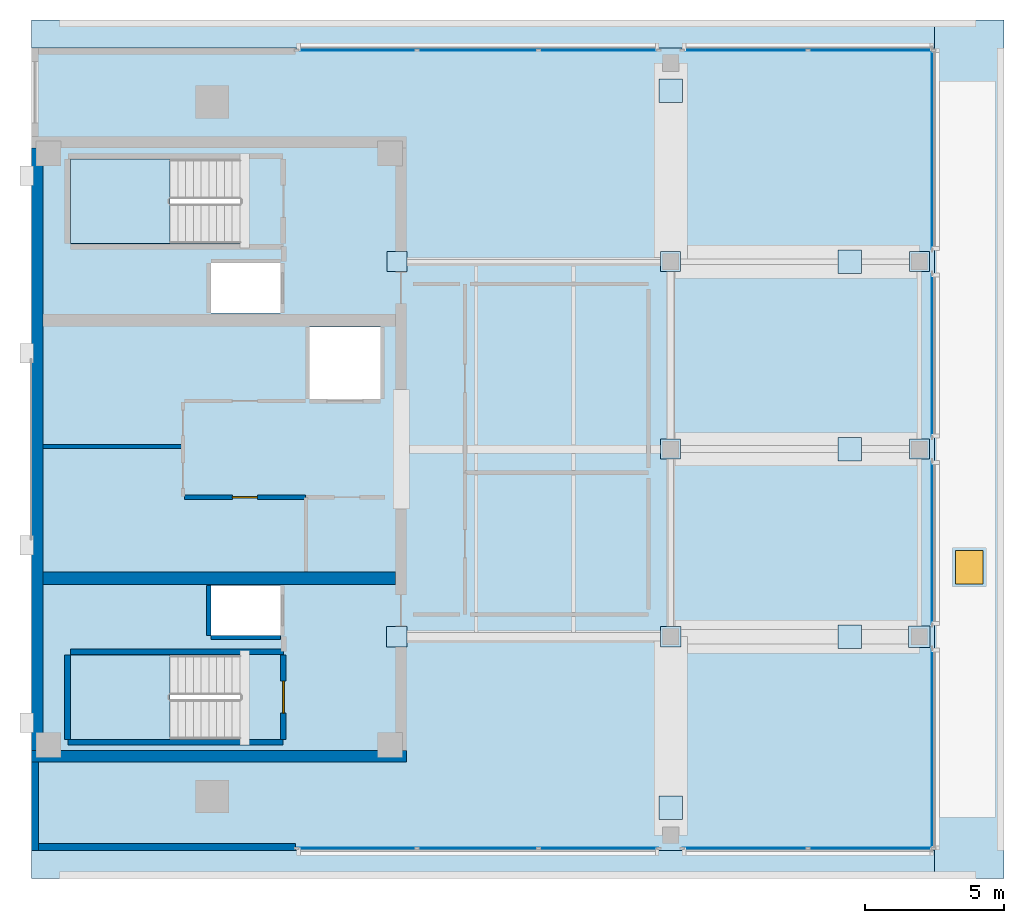
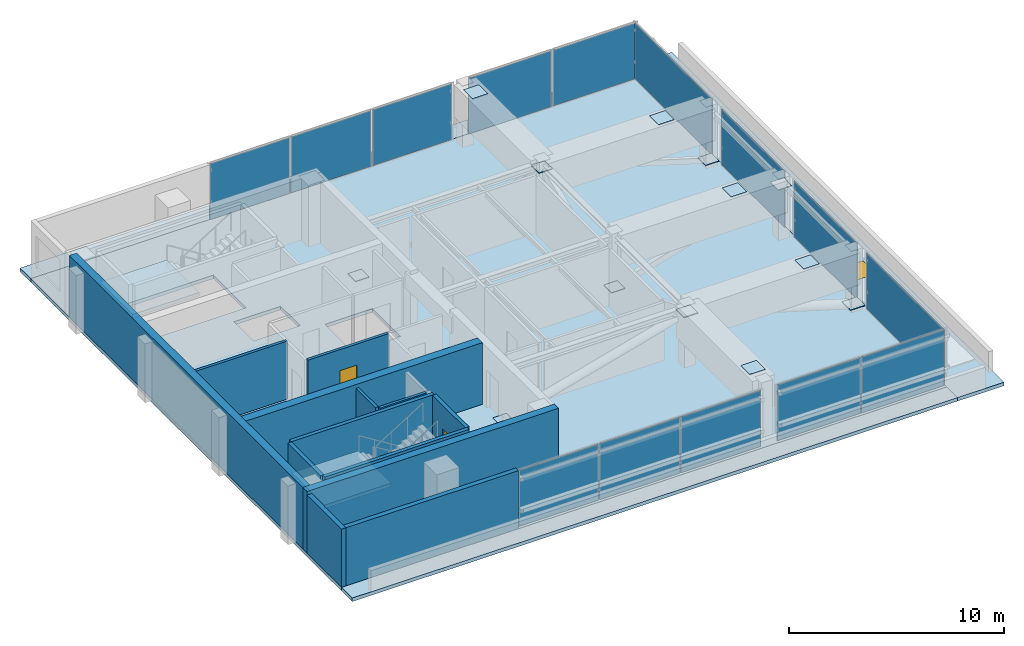
# One storey, part 4 of 10: 27 plates, 13 walls, 6 slabs, 2 doors, 1 window, 3 openings, 10 elements without a shape of their own.
"""IFC4 building model written with IfcOpenShell, lengths in metres."""

from ifc_helpers import new_model, si_unit, direction, frame, frame_2d, origin, origin_2d, place, context, subcontext, project, spatial, polyline, rectangle, outline, extrude, material, layer, layer_set, type_object, element, fill, aggregate, save


model = new_model("IFC4")

# Units and contexts
model_context = context("Model", 3, precision=1e-05, world=origin(), true_north=direction((0.0, 1.0)))
body_context = subcontext(model_context, "Body", "Model", "MODEL_VIEW")
ifc_project = project(units=[si_unit("LENGTHUNIT", "METRE"), si_unit("AREAUNIT", "SQUARE_METRE"), si_unit("VOLUMEUNIT", "CUBIC_METRE"), si_unit("PLANEANGLEUNIT", "RADIAN"), si_unit("MASSUNIT", "GRAM", prefix="KILO")], contexts=[model_context])

# Site, building, storey
site_placement = place(None, origin())
site = spatial("IfcSite", under=ifc_project, at=site_placement, CompositionType="ELEMENT")
building_placement = place(site_placement, origin())
building = spatial("IfcBuilding", under=site, at=building_placement, Name="Kinhvarn Gate Tower", CompositionType="ELEMENT")
storey_placement = place(building_placement, frame((0.0, 0.0, 311.050048828125)))
storey = spatial("IfcBuildingStorey", under=building, at=storey_placement, Name="L82", CompositionType="ELEMENT", Elevation=311.050048828125)

# Curtain wall, plates
ifc_material_1 = material(Name="Anodised aluminium AW-6063", Category="aluminium")
ifc_layer_1 = layer(ifc_material_1, 0.199951171875)
ifc_layer_set_1 = layer_set([ifc_layer_1], Name="Anodised aluminium AW-6063")
curtain_wall_type = type_object("IfcCurtainWallType", Name="CW-SYS-6", PredefinedType="NOTDEFINED", material=ifc_layer_set_1)
curtain_wall_1_placement = place(storey_placement, origin())
curtain_wall_1 = element("IfcCurtainWall", 1, at=curtain_wall_1_placement, inside=storey, type_object=curtain_wall_type, Name="Curtain Wall CW6 (L82)", PredefinedType="NOTDEFINED")
ifc_material_2 = material(Name="Clear low-e double glazing", Category="glass")
ifc_layer_2 = layer(ifc_material_2, 0.031982421875)
ifc_layer_set_2 = layer_set([ifc_layer_2], Name="Clear low-e double glazing")
plate_type_1 = type_object("IfcPlateType", Name="CW-PNL-VIS", PredefinedType="CURTAIN_PANEL", material=ifc_layer_set_2)
plate_1_placement = place(storey_placement, frame((16.202880859375, 10.889892578125, 0.06494140625), z_axis=(0.0, 0.0, 1.0), x_axis=(1.0, 0.0, 0.0)))
plate_1 = element("IfcPlate", 2, at=plate_1_placement, type_object=plate_type_1, Name="CW6 panel 1.1", PredefinedType="CURTAIN_PANEL", context=body_context, shape_type="SweptSolid", body=[
    extrude(rectangle(XDim=4.27587890625, YDim=0.031982421875, at=origin_2d()), origin(), (0.0, 0.0, 1.0), 3.169921875),
])
plate_2_placement = place(storey_placement, frame((20.56005859375, 10.889892578125, 0.06494140625), z_axis=(0.0, 0.0, 1.0), x_axis=(1.0, 0.0, 0.0)))
plate_2 = element("IfcPlate", 3, at=plate_2_placement, type_object=plate_type_1, Name="CW6 panel 2.1", PredefinedType="CURTAIN_PANEL", context=body_context, shape_type="SweptSolid", body=[
    extrude(rectangle(XDim=4.308349609375, YDim=0.031982421875, at=origin_2d()), origin(), (0.0, 0.0, 1.0), 3.169921875),
])
plate_3_placement = place(storey_placement, frame((24.9169921875, 10.889892578125, 0.06494140625), z_axis=(0.0, 0.0, 1.0), x_axis=(1.0, 0.0, 0.0)))
plate_3 = element("IfcPlate", 4, at=plate_3_placement, type_object=plate_type_1, Name="CW6 panel 3.1", PredefinedType="CURTAIN_PANEL", context=body_context, shape_type="SweptSolid", body=[
    extrude(rectangle(XDim=4.27587890625, YDim=0.031982421875, at=origin_2d()), origin(), (0.0, 0.0, 1.0), 3.169921875),
])
aggregate(curtain_wall_1, [plate_1, plate_2, plate_3])

curtain_wall_2_placement = place(storey_placement, origin())
curtain_wall_2 = element("IfcCurtainWall", 5, at=curtain_wall_2_placement, inside=storey, type_object=curtain_wall_type, Name="Curtain Wall CW6 (L82)", PredefinedType="NOTDEFINED")
plate_4_placement = place(storey_placement, frame((30.17626953125, 10.889892578125, 0.06494140625), z_axis=(0.0, 0.0, 1.0), x_axis=(1.0, 0.0, 0.0)))
plate_4 = element("IfcPlate", 6, at=plate_4_placement, type_object=plate_type_1, Name="CW6 panel 1.1", PredefinedType="CURTAIN_PANEL", context=body_context, shape_type="SweptSolid", body=[
    extrude(rectangle(XDim=4.46240234375, YDim=0.031982421875, at=origin_2d()), origin(), (0.0, 0.0, 1.0), 3.169921875),
])
plate_5_placement = place(storey_placement, frame((34.703857421875, 10.889892578125, 0.06494140625), z_axis=(0.0, 0.0, 1.0), x_axis=(1.0, 0.0, 0.0)))
plate_5 = element("IfcPlate", 7, at=plate_5_placement, type_object=plate_type_1, Name="CW6 panel 2.1", PredefinedType="CURTAIN_PANEL", context=body_context, shape_type="SweptSolid", body=[
    extrude(rectangle(XDim=4.46240234375, YDim=0.031982421875, at=origin_2d()), origin(), (0.0, 0.0, 1.0), 3.169921875),
])
aggregate(curtain_wall_2, [plate_4, plate_5])

curtain_wall_3_placement = place(storey_placement, origin())
curtain_wall_3 = element("IfcCurtainWall", 8, at=curtain_wall_3_placement, inside=storey, type_object=curtain_wall_type, Name="Curtain Wall CW6 (L82)", PredefinedType="NOTDEFINED")
plate_6_placement = place(storey_placement, frame((34.703857421875, 39.610107421875, 0.06494140625), z_axis=(0.0, 0.0, 1.0), x_axis=(-1.0, 0.0, 0.0)))
plate_6 = element("IfcPlate", 9, at=plate_6_placement, type_object=plate_type_1, Name="CW6 panel 1.1", PredefinedType="CURTAIN_PANEL", context=body_context, shape_type="SweptSolid", body=[
    extrude(rectangle(XDim=4.46240234375, YDim=0.031982421875, at=origin_2d()), origin(), (0.0, 0.0, 1.0), 3.169921875),
])
plate_7_placement = place(storey_placement, frame((30.17626953125, 39.610107421875, 0.06494140625), z_axis=(0.0, 0.0, 1.0), x_axis=(-1.0, 0.0, 0.0)))
plate_7 = element("IfcPlate", 10, at=plate_7_placement, type_object=plate_type_1, Name="CW6 panel 2.1", PredefinedType="CURTAIN_PANEL", context=body_context, shape_type="SweptSolid", body=[
    extrude(rectangle(XDim=4.46240234375, YDim=0.031982421875, at=origin_2d()), origin(), (0.0, 0.0, 1.0), 3.169921875),
])
aggregate(curtain_wall_3, [plate_6, plate_7])

curtain_wall_4_placement = place(storey_placement, origin())
curtain_wall_4 = element("IfcCurtainWall", 11, at=curtain_wall_4_placement, inside=storey, type_object=curtain_wall_type, Name="Curtain Wall CW6 (L82)", PredefinedType="NOTDEFINED")
plate_8_placement = place(storey_placement, frame((24.9169921875, 39.610107421875, 0.06494140625), z_axis=(0.0, 0.0, 1.0), x_axis=(-1.0, 0.0, 0.0)))
plate_8 = element("IfcPlate", 12, at=plate_8_placement, type_object=plate_type_1, Name="CW6 panel 1.1", PredefinedType="CURTAIN_PANEL", context=body_context, shape_type="SweptSolid", body=[
    extrude(rectangle(XDim=4.27587890625, YDim=0.031982421875, at=origin_2d()), origin(), (0.0, 0.0, 1.0), 3.169921875),
])
plate_9_placement = place(storey_placement, frame((20.56005859375, 39.610107421875, 0.06494140625), z_axis=(0.0, 0.0, 1.0), x_axis=(-1.0, 0.0, 0.0)))
plate_9 = element("IfcPlate", 13, at=plate_9_placement, type_object=plate_type_1, Name="CW6 panel 2.1", PredefinedType="CURTAIN_PANEL", context=body_context, shape_type="SweptSolid", body=[
    extrude(rectangle(XDim=4.308349609375, YDim=0.031982421875, at=origin_2d()), origin(), (0.0, 0.0, 1.0), 3.169921875),
])
plate_10_placement = place(storey_placement, frame((16.202880859375, 39.610107421875, 0.06494140625), z_axis=(0.0, 0.0, 1.0), x_axis=(-1.0, 0.0, 0.0)))
plate_10 = element("IfcPlate", 14, at=plate_10_placement, type_object=plate_type_1, Name="CW6 panel 3.1", PredefinedType="CURTAIN_PANEL", context=body_context, shape_type="SweptSolid", body=[
    extrude(rectangle(XDim=4.27587890625, YDim=0.031982421875, at=origin_2d()), origin(), (0.0, 0.0, 1.0), 3.169921875),
])
aggregate(curtain_wall_4, [plate_8, plate_9, plate_10])

# Curtain wall, plate
curtain_wall_5_placement = place(storey_placement, origin())
curtain_wall_5 = element("IfcCurtainWall", 15, at=curtain_wall_5_placement, inside=storey, type_object=curtain_wall_type, Name="Curtain Wall CW6 (L82)", PredefinedType="NOTDEFINED")
plate_11_placement = place(storey_placement, frame((36.909912109375, 14.4599609375, 0.06494140625), z_axis=(0.0, 0.0, 1.0), x_axis=(0.0, 1.0, 0.0)))
plate_11 = element("IfcPlate", 16, at=plate_11_placement, type_object=plate_type_1, Name="CW6 panel 1.1", PredefinedType="CURTAIN_PANEL", context=body_context, shape_type="SweptSolid", body=[
    extrude(rectangle(XDim=7.18994140625, YDim=0.031982421875, at=origin_2d()), origin(), (0.0, 0.0, 1.0), 3.169921875),
])
aggregate(curtain_wall_5, [plate_11])

curtain_wall_6_placement = place(storey_placement, origin())
curtain_wall_6 = element("IfcCurtainWall", 17, at=curtain_wall_6_placement, inside=storey, type_object=curtain_wall_type, Name="Curtain Wall CW6 (L82)", PredefinedType="NOTDEFINED")
plate_12_placement = place(storey_placement, frame((36.909912109375, 21.875, 0.06494140625), z_axis=(0.0, 0.0, 1.0), x_axis=(0.0, 1.0, 0.0)))
plate_12 = element("IfcPlate", 18, at=plate_12_placement, type_object=plate_type_1, Name="CW6 panel 1.1", PredefinedType="CURTAIN_PANEL", context=body_context, shape_type="SweptSolid", body=[
    extrude(rectangle(XDim=5.860107421875, YDim=0.031982421875, at=origin_2d()), origin(), (0.0, 0.0, 1.0), 3.169921875),
])
aggregate(curtain_wall_6, [plate_12])

curtain_wall_7_placement = place(storey_placement, origin())
curtain_wall_7 = element("IfcCurtainWall", 19, at=curtain_wall_7_placement, inside=storey, type_object=curtain_wall_type, Name="Curtain Wall CW6 (L82)", PredefinedType="NOTDEFINED")
plate_13_placement = place(storey_placement, frame((36.909912109375, 28.625, 0.06494140625), z_axis=(0.0, 0.0, 1.0), x_axis=(0.0, 1.0, 0.0)))
plate_13 = element("IfcPlate", 20, at=plate_13_placement, type_object=plate_type_1, Name="CW6 panel 1.1", PredefinedType="CURTAIN_PANEL", context=body_context, shape_type="SweptSolid", body=[
    extrude(rectangle(XDim=5.860107421875, YDim=0.031982421875, at=origin_2d()), origin(), (0.0, 0.0, 1.0), 3.169921875),
])
aggregate(curtain_wall_7, [plate_13])

curtain_wall_8_placement = place(storey_placement, origin())
curtain_wall_8 = element("IfcCurtainWall", 21, at=curtain_wall_8_placement, inside=storey, type_object=curtain_wall_type, Name="Curtain Wall CW6 (L82)", PredefinedType="NOTDEFINED")
plate_14_placement = place(storey_placement, frame((36.909912109375, 36.0400390625, 0.06494140625), z_axis=(0.0, 0.0, 1.0), x_axis=(0.0, 1.0, 0.0)))
plate_14 = element("IfcPlate", 22, at=plate_14_placement, type_object=plate_type_1, Name="CW6 panel 1.1", PredefinedType="CURTAIN_PANEL", context=body_context, shape_type="SweptSolid", body=[
    extrude(rectangle(XDim=7.18994140625, YDim=0.031982421875, at=origin_2d()), origin(), (0.0, 0.0, 1.0), 3.169921875),
])
aggregate(curtain_wall_8, [plate_14])

# Plates
ifc_material_3 = material(Name="Steel S355", Category="steel")
ifc_layer_3 = layer(ifc_material_3, 0.02392578125)
ifc_layer_set_3 = layer_set([ifc_layer_3], Name="Steel S355")
plate_type_2 = type_object("IfcPlateType", Name="PLT-NODE-CB1", PredefinedType="USERDEFINED", material=ifc_layer_set_3)
plate_15_placement = place(storey_placement, frame((0.0, 0.0, 3.47802734375)))
element("IfcPlate", 23, at=plate_15_placement, inside=storey, type_object=plate_type_2, Name="Structural Node Cap Plate CB1", ObjectType="GUSSET_PLATE", PredefinedType="USERDEFINED", context=body_context, shape_type="SweptSolid", body=[
    extrude(outline(polyline([(33.530029296875, 18.080078125), (34.3701171875, 18.080078125), (34.3701171875, 18.919921875), (33.530029296875, 18.919921875), (33.530029296875, 18.080078125)])), origin(), (0.0, 0.0, 1.0), 0.02392578125),
])
plate_16_placement = place(storey_placement, frame((0.0, 0.0, 3.47802734375)))
element("IfcPlate", 24, at=plate_16_placement, inside=storey, type_object=plate_type_2, Name="Structural Node Cap Plate CB1", ObjectType="GUSSET_PLATE", PredefinedType="USERDEFINED", context=body_context, shape_type="SweptSolid", body=[
    extrude(outline(polyline([(33.530029296875, 24.830078125), (34.3701171875, 24.830078125), (34.3701171875, 25.669921875), (33.530029296875, 25.669921875), (33.530029296875, 24.830078125)])), origin(), (0.0, 0.0, 1.0), 0.02392578125),
])
plate_17_placement = place(storey_placement, frame((0.0, 0.0, 3.47802734375)))
element("IfcPlate", 25, at=plate_17_placement, inside=storey, type_object=plate_type_2, Name="Structural Node Cap Plate CB1", ObjectType="GUSSET_PLATE", PredefinedType="USERDEFINED", context=body_context, shape_type="SweptSolid", body=[
    extrude(outline(polyline([(33.530029296875, 31.580078125), (34.3701171875, 31.580078125), (34.3701171875, 32.419921875), (33.530029296875, 32.419921875), (33.530029296875, 31.580078125)])), origin(), (0.0, 0.0, 1.0), 0.02392578125),
])
plate_18_placement = place(storey_placement, frame((0.0, 0.0, 3.47802734375)))
element("IfcPlate", 26, at=plate_18_placement, inside=storey, type_object=plate_type_2, Name="Structural Node Cap Plate CB1", ObjectType="GUSSET_PLATE", PredefinedType="USERDEFINED", context=body_context, shape_type="SweptSolid", body=[
    extrude(outline(polyline([(27.080078125, 11.929931640625), (27.919921875, 11.929931640625), (27.919921875, 12.77001953125), (27.080078125, 12.77001953125), (27.080078125, 11.929931640625)])), origin(), (0.0, 0.0, 1.0), 0.02392578125),
])
plate_19_placement = place(storey_placement, frame((0.0, 0.0, 3.47802734375)))
element("IfcPlate", 27, at=plate_19_placement, inside=storey, type_object=plate_type_2, Name="Structural Node Cap Plate CB1", ObjectType="GUSSET_PLATE", PredefinedType="USERDEFINED", context=body_context, shape_type="SweptSolid", body=[
    extrude(outline(polyline([(27.080078125, 37.72998046875), (27.919921875, 37.72998046875), (27.919921875, 38.570068359375), (27.080078125, 38.570068359375), (27.080078125, 37.72998046875)])), origin(), (0.0, 0.0, 1.0), 0.02392578125),
])
plate_20_placement = place(storey_placement, frame((0.0, 0.0, 0.238037109375)))
element("IfcPlate", 28, at=plate_20_placement, inside=storey, type_object=plate_type_2, Name="Structural Node Cap Plate CB1", ObjectType="GUSSET_PLATE", PredefinedType="USERDEFINED", context=body_context, shape_type="SweptSolid", body=[
    extrude(outline(polyline([(17.281494140625, 18.131591796875), (18.0185546875, 18.131591796875), (18.0185546875, 18.868408203125), (17.281494140625, 18.868408203125), (17.281494140625, 18.131591796875)])), origin(), (0.0, 0.0, 1.0), 0.02392578125),
])
plate_21_placement = place(storey_placement, frame((0.0, 0.0, 0.238037109375)))
element("IfcPlate", 29, at=plate_21_placement, inside=storey, type_object=plate_type_2, Name="Structural Node Cap Plate CB1", ObjectType="GUSSET_PLATE", PredefinedType="USERDEFINED", context=body_context, shape_type="SweptSolid", body=[
    extrude(outline(polyline([(17.2900390625, 31.639892578125), (18.010009765625, 31.639892578125), (18.010009765625, 32.360107421875), (17.2900390625, 32.360107421875), (17.2900390625, 31.639892578125)])), origin(), (0.0, 0.0, 1.0), 0.02392578125),
])
plate_22_placement = place(storey_placement, frame((0.0, 0.0, 0.238037109375)))
element("IfcPlate", 30, at=plate_22_placement, inside=storey, type_object=plate_type_2, Name="Structural Node Cap Plate CB1", ObjectType="GUSSET_PLATE", PredefinedType="USERDEFINED", context=body_context, shape_type="SweptSolid", body=[
    extrude(outline(polyline([(27.139892578125, 24.889892578125), (27.860107421875, 24.889892578125), (27.860107421875, 25.610107421875), (27.139892578125, 25.610107421875), (27.139892578125, 24.889892578125)])), origin(), (0.0, 0.0, 1.0), 0.02392578125),
])
ifc_layer_4 = layer(ifc_material_3, 0.033935546875)
ifc_layer_set_4 = layer_set([ifc_layer_4], Name="Steel S355")
plate_type_3 = type_object("IfcPlateType", Name="PLT-NODE-KN4", PredefinedType="USERDEFINED", material=ifc_layer_set_4)
plate_23_placement = place(storey_placement, frame((0.0, 0.0, 2.932861328125)))
element("IfcPlate", 31, at=plate_23_placement, inside=storey, type_object=plate_type_3, Name="Structural Node Cap Plate KN4", ObjectType="GUSSET_PLATE", PredefinedType="USERDEFINED", context=body_context, shape_type="SweptSolid", body=[
    extrude(outline(polyline([(27.131591796875, 18.131591796875), (27.868408203125, 18.131591796875), (27.868408203125, 18.868408203125), (27.131591796875, 18.868408203125), (27.131591796875, 18.131591796875)])), origin(), (0.0, 0.0, 1.0), 0.0341796875),
])
plate_24_placement = place(storey_placement, frame((0.0, 0.0, 0.23291015625)))
element("IfcPlate", 32, at=plate_24_placement, inside=storey, type_object=plate_type_3, Name="Structural Node Cap Plate KN4", ObjectType="GUSSET_PLATE", PredefinedType="USERDEFINED", context=body_context, shape_type="SweptSolid", body=[
    extrude(outline(polyline([(36.055908203125, 18.10595703125), (36.843994140625, 18.10595703125), (36.843994140625, 18.89404296875), (36.055908203125, 18.89404296875), (36.055908203125, 18.10595703125)])), origin(), (0.0, 0.0, 1.0), 0.033935546875),
])
plate_25_placement = place(storey_placement, frame((0.0, 0.0, 2.932861328125)))
element("IfcPlate", 33, at=plate_25_placement, inside=storey, type_object=plate_type_3, Name="Structural Node Cap Plate KN4", ObjectType="GUSSET_PLATE", PredefinedType="USERDEFINED", context=body_context, shape_type="SweptSolid", body=[
    extrude(outline(polyline([(27.139892578125, 31.639892578125), (27.860107421875, 31.639892578125), (27.860107421875, 32.360107421875), (27.139892578125, 32.360107421875), (27.139892578125, 31.639892578125)])), origin(), (0.0, 0.0, 1.0), 0.0341796875),
])
plate_26_placement = place(storey_placement, frame((0.0, 0.0, 0.23291015625)))
element("IfcPlate", 34, at=plate_26_placement, inside=storey, type_object=plate_type_3, Name="Structural Node Cap Plate KN4", ObjectType="GUSSET_PLATE", PredefinedType="USERDEFINED", context=body_context, shape_type="SweptSolid", body=[
    extrude(outline(polyline([(36.090087890625, 31.639892578125), (36.81005859375, 31.639892578125), (36.81005859375, 32.360107421875), (36.090087890625, 32.360107421875), (36.090087890625, 31.639892578125)])), origin(), (0.0, 0.0, 1.0), 0.033935546875),
])
plate_27_placement = place(storey_placement, frame((0.0, 0.0, 2.932861328125)))
element("IfcPlate", 35, at=plate_27_placement, inside=storey, type_object=plate_type_3, Name="Structural Node Cap Plate KN4", ObjectType="GUSSET_PLATE", PredefinedType="USERDEFINED", context=body_context, shape_type="SweptSolid", body=[
    extrude(outline(polyline([(36.090087890625, 24.889892578125), (36.81005859375, 24.889892578125), (36.81005859375, 25.610107421875), (36.090087890625, 25.610107421875), (36.090087890625, 24.889892578125)])), origin(), (0.0, 0.0, 1.0), 0.0341796875),
])

# Slab
ifc_material_4 = material(Name="Concrete C40/50", Category="concrete")
ifc_layer_5 = layer(ifc_material_4, 0.199951171875)
ifc_layer_set_5 = layer_set([ifc_layer_5], Name="Concrete C40/50")
slab_type_1 = type_object("IfcSlabType", Name="SLB-FLR-200", PredefinedType="FLOOR", material=ifc_layer_set_5)
slab_1_placement = place(storey_placement, frame((0.0, 0.0, -0.199951171875)))
element("IfcSlab", 36, at=slab_1_placement, inside=storey, type_object=slab_type_1, Name="Suspended Floor Slab L82", PredefinedType="FLOOR", context=body_context, shape_type="SweptSolid", body=[
    extrude(outline(polyline([(4.5, 10.800048828125), (37.0, 10.800048828125), (37.0, 39.699951171875), (4.5, 39.699951171875), (4.5, 10.800048828125)]), holes=[polyline([(5.89990234375, 14.800048828125), (12.0, 14.800048828125), (12.0, 17.85009765625), (5.89990234375, 17.85009765625), (5.89990234375, 14.800048828125)]), polyline([(5.89990234375, 32.64990234375), (12.0, 32.64990234375), (12.0, 35.699951171875), (5.89990234375, 35.699951171875), (5.89990234375, 32.64990234375)]), polyline([(14.5, 27.050048828125), (17.050048828125, 27.050048828125), (17.050048828125, 29.64990234375), (14.5, 29.64990234375), (14.5, 27.050048828125)]), polyline([(10.949951171875, 18.550048828125), (13.449951171875, 18.550048828125), (13.449951171875, 20.35009765625), (10.949951171875, 20.35009765625), (10.949951171875, 18.550048828125)]), polyline([(10.949951171875, 30.14990234375), (13.449951171875, 30.14990234375), (13.449951171875, 31.949951171875), (10.949951171875, 31.949951171875), (10.949951171875, 30.14990234375)])]), origin(), (0.0, 0.0, 1.0), 0.199951171875),
])

# Slab, opening, window
ifc_material_5 = material(Name="Concrete C50/60", Category="concrete")
ifc_layer_6 = layer(ifc_material_5, 0.199951171875)
ifc_layer_set_6 = layer_set([ifc_layer_6], Name="Concrete C50/60")
slab_type_2 = type_object("IfcSlabType", Name="SLB-ROOF-200", PredefinedType="ROOF", material=ifc_layer_set_6)
slab_2_placement = place(storey_placement, frame((0.0, 0.0, -0.199951171875)))
slab_2 = element("IfcSlab", 37, at=slab_2_placement, inside=storey, type_object=slab_type_2, Name="Stepped Crown Ledge Roof Slab L82-E", PredefinedType="ROOF", context=body_context, shape_type="SweptSolid", body=[
    extrude(outline(polyline([(37.0, 9.800048828125), (37.0, 40.699951171875), (39.5, 40.699951171875), (39.5, 9.800048828125), (37.0, 9.800048828125)])), origin(), (0.0, 0.0, 1.0), 0.199951171875),
])
opening_1_placement = place(slab_2_placement, frame((38.25, 21.0, -0.010009765625)))
opening_1 = element("IfcOpeningElement", 38, at=opening_1_placement, cuts=slab_2, Name="Opening RH-01", PredefinedType="OPENING", context=body_context, shape_type="SweptSolid", body=[
    extrude(rectangle(XDim=1.0, YDim=1.199951171875, at=origin_2d()), origin(), (0.0, 0.0, 1.0), 0.219970703125),
])
window_type = type_object("IfcWindowType", Name="WIN-SKL-1200", PartitioningType="SINGLE_PANEL", PredefinedType="SKYLIGHT", material=ifc_material_2)
window_placement = place(slab_2_placement, frame((38.25, 21.0, 0.14990234375)))
window = element("IfcWindow", 39, at=window_placement, inside=storey, type_object=window_type, Name="Crown Ledge Maintenance Skylight Hatch RH-01 (L82)", OverallHeight=1.199951171875, OverallWidth=1.0, PartitioningType="SINGLE_PANEL", PredefinedType="SKYLIGHT", context=body_context, shape_type="SweptSolid", body=[
    extrude(rectangle(XDim=1.0, YDim=1.199951171875, at=origin_2d()), origin(), (0.0, 0.0, 1.0), 0.050048828125),
])
fill(opening_1, window)

# Slabs
slab_3_placement = place(storey_placement, frame((0.0, 0.0, -0.199951171875)))
element("IfcSlab", 40, at=slab_3_placement, inside=storey, type_object=slab_type_2, Name="Stepped Crown Ledge Roof Slab L82-S", PredefinedType="ROOF", context=body_context, shape_type="SweptSolid", body=[
    extrude(outline(polyline([(4.5, 9.800048828125), (4.5, 10.800048828125), (37.0, 10.800048828125), (37.0, 9.800048828125), (4.5, 9.800048828125)])), origin(), (0.0, 0.0, 1.0), 0.199951171875),
])
slab_4_placement = place(storey_placement, frame((0.0, 0.0, -0.199951171875)))
element("IfcSlab", 41, at=slab_4_placement, inside=storey, type_object=slab_type_2, Name="Stepped Crown Ledge Roof Slab L82-N", PredefinedType="ROOF", context=body_context, shape_type="SweptSolid", body=[
    extrude(outline(polyline([(37.0, 40.699951171875), (37.0, 39.699951171875), (4.5, 39.699951171875), (4.5, 40.699951171875), (37.0, 40.699951171875)])), origin(), (0.0, 0.0, 1.0), 0.199951171875),
])

# Stair, slab
stair_type = type_object("IfcStairType", Name="STR-DLG-175", PredefinedType="HALF_TURN_STAIR", material=ifc_material_4)
stair_1_placement = place(storey_placement, origin())
stair_1 = element("IfcStair", 42, at=stair_1_placement, inside=storey, type_object=stair_type, Name="L82 Core Smokeproof Exit Stair ST1", PredefinedType="HALF_TURN_STAIR")
ifc_layer_7 = layer(ifc_material_4, 0.199951171875)
ifc_layer_set_7 = layer_set([ifc_layer_7], Name="Concrete C40/50")
slab_type_3 = type_object("IfcSlabType", Name="SLB-ST-LND", PredefinedType="LANDING", material=ifc_layer_set_7)
slab_5_placement = place(storey_placement, frame((0.0, 0.0, 1.550048828125)))
slab_5 = element("IfcSlab", 43, at=slab_5_placement, type_object=slab_type_3, Name="ST1 landing 1", PredefinedType="LANDING", context=body_context, shape_type="SweptSolid", body=[
    extrude(outline(polyline([(9.47998046875, 17.85009765625), (5.89990234375, 17.85009765625), (5.89990234375, 14.800048828125), (9.47998046875, 14.800048828125), (9.47998046875, 17.85009765625)])), origin(), (0.0, 0.0, 1.0), 0.199951171875),
])
aggregate(stair_1, [slab_5])

stair_2_placement = place(storey_placement, origin())
stair_2 = element("IfcStair", 44, at=stair_2_placement, inside=storey, type_object=stair_type, Name="L82 Core Smokeproof Exit Stair ST2", PredefinedType="HALF_TURN_STAIR")
slab_6_placement = place(storey_placement, frame((0.0, 0.0, 1.550048828125)))
slab_6 = element("IfcSlab", 45, at=slab_6_placement, type_object=slab_type_3, Name="ST2 landing 1", PredefinedType="LANDING", context=body_context, shape_type="SweptSolid", body=[
    extrude(outline(polyline([(9.47998046875, 35.699951171875), (5.89990234375, 35.699951171875), (5.89990234375, 32.64990234375), (9.47998046875, 32.64990234375), (9.47998046875, 35.699951171875)])), origin(), (0.0, 0.0, 1.0), 0.199951171875),
])
aggregate(stair_2, [slab_6])

# Walls
ifc_layer_8 = layer(ifc_material_5, 0.39990234375)
ifc_layer_set_8 = layer_set([ifc_layer_8], Name="Concrete C50/60")
wall_type_1 = type_object("IfcWallType", Name="WL-CORE-400", PredefinedType="SHEAR", material=ifc_layer_set_8)
wall_1_placement = place(storey_placement, frame((4.5, 14.199951171875, 0.0), z_axis=(0.0, 0.0, 1.0), x_axis=(1.0, 0.0, 0.0)))
element("IfcWall", 46, at=wall_1_placement, inside=storey, type_object=wall_type_1, Name="Core South Shear Wall L82 400 mm", PredefinedType="SHEAR", context=body_context, shape_type="SweptSolid", body=[
    extrude(rectangle(XDim=13.5, YDim=0.39990234375, at=frame_2d((6.75, 0.0))), origin(), (0.0, 0.0, 1.0), 3.5),
])
ifc_layer_9 = layer(ifc_material_5, 0.449951171875)
ifc_layer_set_9 = layer_set([ifc_layer_9], Name="Concrete C50/60")
wall_type_2 = type_object("IfcWallType", Name="WL-CORE-450", PredefinedType="SHEAR", material=ifc_layer_set_9)
wall_2_placement = place(storey_placement, frame((4.89990234375, 20.60009765625, 0.0), z_axis=(0.0, 0.0, 1.0), x_axis=(1.0, 0.0, 0.0)))
element("IfcWall", 47, at=wall_2_placement, inside=storey, type_object=wall_type_2, Name="Core South Spine Shear Wall L82 450 mm", PredefinedType="SHEAR", context=body_context, shape_type="SweptSolid", body=[
    extrude(rectangle(XDim=12.7001953125, YDim=0.449951171875, at=frame_2d((6.35009765625, 0.0))), origin(), (0.0, 0.0, 1.0), 3.5),
])
ifc_layer_10 = layer(ifc_material_5, 0.39990234375)
ifc_layer_set_10 = layer_set([ifc_layer_10], Name="Concrete C50/60")
wall_type_3 = type_object("IfcWallType", Name="WL-COREX-400", PredefinedType="SHEAR", material=ifc_layer_set_10)
wall_3_placement = place(storey_placement, frame((4.699951171875, 14.39990234375, 0.0), z_axis=(0.0, 0.0, 1.0), x_axis=(0.0, 1.0, 0.0)))
element("IfcWall", 48, at=wall_3_placement, inside=storey, type_object=wall_type_3, Name="Core West Shear Wall L82 400 mm", PredefinedType="SHEAR", context=body_context, shape_type="SweptSolid", body=[
    extrude(rectangle(XDim=21.7001953125, YDim=0.39990234375, at=frame_2d((10.85009765625, 0.0))), origin(), (0.0, 0.0, 1.0), 3.5),
])
ifc_material_6 = material(Name="Fired architectural terracotta", Category="masonry")
ifc_layer_11 = layer(ifc_material_6, 0.25)
ifc_layer_set_11 = layer_set([ifc_layer_11], Name="Fired architectural terracotta")
wall_type_4 = type_object("IfcWallType", Name="WL-EXT-250", PredefinedType="SOLIDWALL", material=ifc_layer_set_11)
wall_4_placement = place(storey_placement, frame((4.625, 14.0, 0.0), z_axis=(0.0, 0.0, 1.0), x_axis=(0.0, -1.0, 0.0)))
element("IfcWall", 49, at=wall_4_placement, inside=storey, type_object=wall_type_4, Name="Exterior Solidwall Wall EW-250 (L82 West-South)", PredefinedType="SOLIDWALL", context=body_context, shape_type="SweptSolid", body=[
    extrude(rectangle(XDim=3.199951171875, YDim=0.25, at=frame_2d((1.60009765625, 0.0))), origin(), (0.0, 0.0, 1.0), 3.300048828125),
])
wall_5_placement = place(storey_placement, frame((4.5, 10.925048828125, 0.0), z_axis=(0.0, 0.0, 1.0), x_axis=(1.0, 0.0, 0.0)))
element("IfcWall", 50, at=wall_5_placement, inside=storey, type_object=wall_type_4, Name="Exterior Solidwall Wall EW-250 (L82 Crown-Core-S)", PredefinedType="SOLIDWALL", context=body_context, shape_type="SweptSolid", body=[
    extrude(rectangle(XDim=9.5, YDim=0.25, at=frame_2d((4.75, 0.0))), origin(), (0.0, 0.0, 1.0), 3.300048828125),
])
ifc_material_7 = material(Name="Gypsum acoustic partition board")
ifc_layer_12 = layer(ifc_material_7, 0.14990234375)
ifc_layer_set_12 = layer_set([ifc_layer_12], Name="Gypsum acoustic partition board")
wall_type_5 = type_object("IfcWallType", Name="WL-PRT-150F", PredefinedType="PARTITIONING", material=ifc_layer_set_12)
wall_6_placement = place(storey_placement, frame((4.89990234375, 25.35009765625, 0.0), z_axis=(0.0, 0.0, 1.0), x_axis=(1.0, 0.0, 0.0)))
element("IfcWall", 51, at=wall_6_placement, inside=storey, type_object=wall_type_5, Name="Interior Partition PW-150F (L82)", PredefinedType="PARTITIONING", context=body_context, shape_type="SweptSolid", body=[
    extrude(rectangle(XDim=5.050048828125, YDim=0.14990234375, at=frame_2d((2.52490234375, 0.0))), origin(), (0.0, 0.0, 1.0), 3.300048828125),
])

# Wall, opening, door
wall_7_placement = place(storey_placement, frame((10.0, 23.52001953125, 0.0), z_axis=(0.0, 0.0, 1.0), x_axis=(1.0, 0.0, 0.0)))
wall_7 = element("IfcWall", 52, at=wall_7_placement, inside=storey, type_object=wall_type_5, Name="Interior Partition PW-150F (L82)", PredefinedType="PARTITIONING", context=body_context, shape_type="SweptSolid", body=[
    extrude(rectangle(XDim=4.35009765625, YDim=0.14990234375, at=frame_2d((2.175048828125, 0.0))), origin(), (0.0, 0.0, 1.0), 3.300048828125),
])
opening_2_placement = place(wall_7_placement, frame((1.72509765625, 0.0, 0.0)))
opening_2 = element("IfcOpeningElement", 53, at=opening_2_placement, cuts=wall_7, Name="Opening FD-04", PredefinedType="OPENING", context=body_context, shape_type="SweptSolid", body=[
    extrude(rectangle(XDim=0.89990234375, YDim=2.10009765625, at=frame_2d((0.449951171875, 1.050048828125))), frame((0.0, 0.0849609375, 0.0), z_axis=(0.0, -1.0, 0.0), x_axis=(1.0, 0.0, 0.0)), (0.0, 0.0, 1.0), 0.169921875),
])
door_type_1 = type_object("IfcDoorType", Name="DR-FD-900", OperationType="NOTDEFINED", PredefinedType="DOOR", material=ifc_material_1)
door_1_placement = place(opening_2_placement, origin())
door_1 = element("IfcDoor", 54, at=door_1_placement, inside=storey, type_object=door_type_1, Name="Rated Riser & Service Closet Fire Door 900x2100 mm (L82)", OperationType="SINGLE_SWING_RIGHT", OverallHeight=2.10009765625, OverallWidth=0.89990234375, PredefinedType="DOOR", context=body_context, shape_type="SweptSolid", body=[
    extrude(rectangle(XDim=0.89990234375, YDim=2.10009765625, at=frame_2d((0.449951171875, 1.050048828125))), frame((0.0, 0.02490234375, 0.0), z_axis=(0.0, -1.0, 0.0), x_axis=(1.0, 0.0, 0.0)), (0.0, 0.0, 1.0), 0.050048828125),
])
fill(opening_2, door_1)

# Walls
ifc_layer_13 = layer(ifc_material_7, 0.14990234375)
ifc_layer_set_13 = layer_set([ifc_layer_13], Name="Gypsum acoustic partition board")
wall_type_6 = type_object("IfcWallType", Name="WL-SHF-150", PredefinedType="PARTITIONING", material=ifc_layer_set_13)
wall_8_placement = place(storey_placement, frame((10.949951171875, 18.47509765625, 0.0), z_axis=(0.0, 0.0, 1.0), x_axis=(1.0, 0.0, 0.0)))
element("IfcWall", 55, at=wall_8_placement, inside=storey, type_object=wall_type_6, Name="Elevator FF1 Hoistway Wall S (L82)", PredefinedType="PARTITIONING", context=body_context, shape_type="SweptSolid", body=[
    extrude(rectangle(XDim=2.5, YDim=0.14990234375, at=frame_2d((1.25, 0.0))), origin(), (0.0, 0.0, 1.0), 3.300048828125),
])
wall_9_placement = place(storey_placement, frame((10.875, 18.550048828125, 0.0), z_axis=(0.0, 0.0, 1.0), x_axis=(0.0, 1.0, 0.0)))
element("IfcWall", 56, at=wall_9_placement, inside=storey, type_object=wall_type_6, Name="Elevator FF1 Hoistway Wall W (L82)", PredefinedType="PARTITIONING", context=body_context, shape_type="SweptSolid", body=[
    extrude(rectangle(XDim=1.800048828125, YDim=0.14990234375, at=frame_2d((0.89990234375, 0.0))), origin(), (0.0, 0.0, 1.0), 3.300048828125),
])
ifc_layer_14 = layer(ifc_material_4, 0.199951171875)
ifc_layer_set_14 = layer_set([ifc_layer_14], Name="Concrete C40/50")
wall_type_7 = type_object("IfcWallType", Name="WL-SHF-200", PredefinedType="SOLIDWALL", material=ifc_layer_set_14)
wall_10_placement = place(storey_placement, frame((5.800048828125, 14.699951171875, 0.0), z_axis=(0.0, 0.0, 1.0), x_axis=(1.0, 0.0, 0.0)))
element("IfcWall", 57, at=wall_10_placement, inside=storey, type_object=wall_type_7, Name="Stair ST1 South Shaft Wall (L82)", PredefinedType="SOLIDWALL", context=body_context, shape_type="SweptSolid", body=[
    extrude(rectangle(XDim=7.75, YDim=0.199951171875, at=frame_2d((3.875, 0.0))), origin(), (0.0, 0.0, 1.0), 3.5),
])
wall_11_placement = place(storey_placement, frame((5.7900390625, 14.800048828125, 0.0), z_axis=(0.0, 0.0, 1.0), x_axis=(0.0, 1.0, 0.0)))
element("IfcWall", 58, at=wall_11_placement, inside=storey, type_object=wall_type_7, Name="Stair ST1 West Shaft Wall (L82)", PredefinedType="SOLIDWALL", context=body_context, shape_type="SweptSolid", body=[
    extrude(rectangle(XDim=3.050048828125, YDim=0.199951171875, at=frame_2d((1.52490234375, 0.0))), origin(), (0.0, 0.0, 1.0), 3.5),
])
wall_12_placement = place(storey_placement, frame((5.89990234375, 17.9599609375, 0.0), z_axis=(0.0, 0.0, 1.0), x_axis=(1.0, 0.0, 0.0)))
element("IfcWall", 59, at=wall_12_placement, inside=storey, type_object=wall_type_7, Name="Stair ST1 North Shaft Wall (L82)", PredefinedType="SOLIDWALL", context=body_context, shape_type="SweptSolid", body=[
    extrude(rectangle(XDim=7.66015625, YDim=0.199951171875, at=frame_2d((3.830078125, 0.0))), origin(), (0.0, 0.0, 1.0), 3.5),
])

# Wall, opening, door
wall_13_placement = place(storey_placement, frame((13.56005859375, 14.800048828125, 0.0), z_axis=(0.0, 0.0, 1.0), x_axis=(0.0, 1.0, 0.0)))
wall_13 = element("IfcWall", 60, at=wall_13_placement, inside=storey, type_object=wall_type_7, Name="Stair ST1 East Entry Wall (L82)", PredefinedType="SOLIDWALL", context=body_context, shape_type="SweptSolid", body=[
    extrude(rectangle(XDim=3.050048828125, YDim=0.199951171875, at=frame_2d((1.52490234375, 0.0))), origin(), (0.0, 0.0, 1.0), 3.5),
])
opening_3_placement = place(wall_13_placement, frame((0.949951171875, 0.0, 0.0)))
opening_3 = element("IfcOpeningElement", 61, at=opening_3_placement, cuts=wall_13, Name="Opening FD-01", PredefinedType="OPENING", context=body_context, shape_type="SweptSolid", body=[
    extrude(rectangle(XDim=1.14990234375, YDim=2.14990234375, at=frame_2d((0.574951171875, 1.074951171875))), frame((0.0, 0.10986328125, 0.0), z_axis=(0.0, -1.0, 0.0), x_axis=(1.0, 0.0, 0.0)), (0.0, 0.0, 1.0), 0.219970703125),
])
door_type_2 = type_object("IfcDoorType", Name="DR-ST-1150", OperationType="NOTDEFINED", PredefinedType="DOOR", material=ifc_material_1)
door_2_placement = place(opening_3_placement, origin())
door_2 = element("IfcDoor", 62, at=door_2_placement, inside=storey, type_object=door_type_2, Name="Exit Stair ST1 Fire Door (L82)", OperationType="SINGLE_SWING_RIGHT", OverallHeight=2.14990234375, OverallWidth=1.14990234375, PredefinedType="DOOR", context=body_context, shape_type="SweptSolid", body=[
    extrude(rectangle(XDim=1.14990234375, YDim=2.14990234375, at=frame_2d((0.574951171875, 1.074951171875))), frame((0.0, 0.02490234375, 0.0), z_axis=(0.0, -1.0, 0.0), x_axis=(1.0, 0.0, 0.0)), (0.0, 0.0, 1.0), 0.050048828125),
])
fill(opening_3, door_2)

save(model, "model.ifc")
